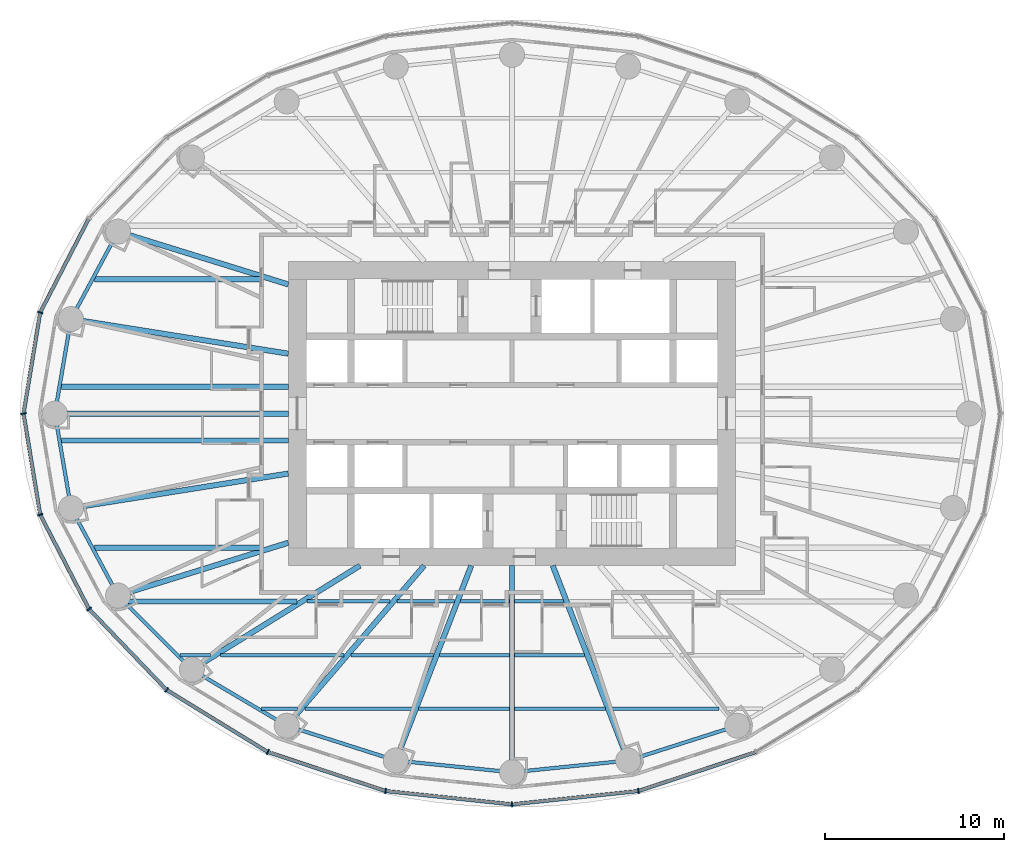
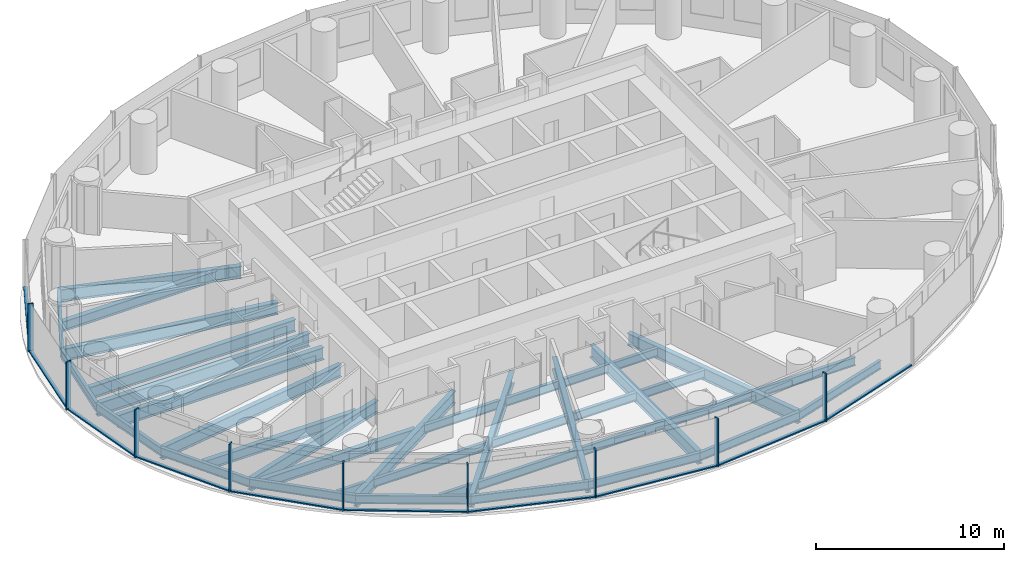
# One storey, part 2 of 14: 39 beams, 19 members, 3 elements without a shape of their own.
"""IFC4 building model written with IfcOpenShell, lengths in metres."""

import ifcopenshell
import ifcopenshell.guid

model = None  # the IFC model being written
_history = None  # IfcOwnerHistory: only IFC2X3 demands one
_inside = {}  # id of a spatial element -> (the spatial element, [elements in it])
_under = {}  # id of a project, library or spatial element -> (it, [spatial elements below it])
_declared = {}  # id of a project -> (the project, [libraries it declares])
_typed = {}  # id of a type object -> (the type object, [elements of that type])
_made_of = {}  # id of a material, layer set ... -> (it, [elements and type objects made of it])


def new_model(schema):
    """Start an empty IFC model of exactly this schema.

    Asked for "IFC4X3", IfcOpenShell would pick the latest addendum, in which some entities
    have other attributes; the version numbers below select the first issue.
    IFC2X3 requires an IfcOwnerHistory on every rooted entity: one is made here for all.
    """
    global model, _history
    if schema == "IFC4X3":
        model = ifcopenshell.file(schema_version=(4, 3, 0, 0))
    else:
        model = ifcopenshell.file(schema=schema)
    _inside.clear()
    _under.clear()
    _declared.clear()
    _typed.clear()
    _made_of.clear()
    _history = None
    if model.schema == "IFC2X3":
        org = make("IfcOrganization", Name="unknown")
        user = make(
            "IfcPersonAndOrganization",
            ThePerson=make("IfcPerson", FamilyName="unknown"),
            TheOrganization=org,
        )
        app = make(
            "IfcApplication",
            ApplicationDeveloper=org,
            Version="unknown",
            ApplicationFullName="unknown",
            ApplicationIdentifier="unknown",
        )
        _history = make(
            "IfcOwnerHistory",
            OwningUser=user,
            OwningApplication=app,
            ChangeAction="ADDED",
            CreationDate=0,
        )
    return model


def make(cls, **values):
    """One entity of the class cls with the attributes given. An attribute that is None is left unset."""
    return model.create_entity(
        cls, **{name: value for name, value in values.items() if value is not None}
    )


def rooted(cls, **values):
    """An entity with a GlobalId (a new one), such as an element, a storey or a relation."""
    return make(cls, GlobalId=ifcopenshell.guid.new(), OwnerHistory=_history, **values)


def si_unit(unit_type, name, prefix=None):
    """IfcSIUnit, for example si_unit("LENGTHUNIT", "METRE", prefix="MILLI")."""
    return make("IfcSIUnit", UnitType=unit_type, Prefix=prefix, Name=name)


def assignment(units):
    """IfcUnitAssignment: the units of a project."""
    return None if units is None else make("IfcUnitAssignment", Units=units)


def point(xyz):
    """IfcCartesianPoint."""
    return None if xyz is None else make("IfcCartesianPoint", Coordinates=xyz)


def direction(xyz):
    """IfcDirection."""
    return None if xyz is None else make("IfcDirection", DirectionRatios=xyz)


def frame(location, z_axis=None, x_axis=None):
    """IfcAxis2Placement3D, a coordinate frame: its origin and axes. An axis left out is left unset."""
    return make(
        "IfcAxis2Placement3D",
        Location=point(location),
        Axis=direction(z_axis),
        RefDirection=direction(x_axis),
    )


def frame_2d(location, x_axis=None):
    """IfcAxis2Placement2D, a coordinate frame in the plane: its origin and x axis."""
    return make(
        "IfcAxis2Placement2D", Location=point(location), RefDirection=direction(x_axis)
    )


def origin():
    """The frame at (0, 0, 0) with its axes left unset."""
    return frame((0.0, 0.0, 0.0))


def origin_2d():
    """The frame at (0, 0) in the plane with its x axis left unset."""
    return frame_2d((0.0, 0.0))


def place(relative_to, where):
    """IfcLocalPlacement: puts the frame where relative to a parent placement (None: the world)."""
    return make(
        "IfcLocalPlacement", PlacementRelTo=relative_to, RelativePlacement=where
    )


def context(
    kind, dimensions, precision=None, world=None, true_north=None, identifier=None
):
    """IfcGeometricRepresentationContext, for example the 3D "Model" context."""
    return make(
        "IfcGeometricRepresentationContext",
        ContextIdentifier=identifier,
        ContextType=kind,
        CoordinateSpaceDimension=dimensions,
        Precision=precision,
        WorldCoordinateSystem=world,
        TrueNorth=true_north,
    )


def subcontext(parent, identifier, kind, view, scale=None):
    """IfcGeometricRepresentationSubContext, for example "Body" below "Model"."""
    return make(
        "IfcGeometricRepresentationSubContext",
        ContextIdentifier=identifier,
        ContextType=kind,
        ParentContext=parent,
        TargetScale=scale,
        TargetView=view,
    )


def project(units=None, contexts=None):
    """IfcProject with its units and contexts."""
    return rooted(
        "IfcProject",
        Name="project",
        RepresentationContexts=contexts,
        UnitsInContext=assignment(units),
    )


def spatial(cls, under=None, at=None, **own):
    """A site, building, storey or space (cls), placed at a placement, below another one or the project."""
    s = rooted(cls, ObjectPlacement=at, **own)
    if under is not None:
        _under.setdefault(under.id(), (under, []))[1].append(s)
    return s


def profile(cls, at=None, kind="AREA", **sizes):
    """A parametric profile (cls). Its sizes go by their IFC names, for example OverallWidth=200.0."""
    return make(cls, ProfileType=kind, Position=at, **sizes)


def rectangle(**sizes):
    """IfcRectangleProfileDef."""
    return profile("IfcRectangleProfileDef", **sizes)


def i_section(**sizes):
    """IfcIShapeProfileDef."""
    return profile("IfcIShapeProfileDef", **sizes)


def extrude(swept, where, along, depth):
    """IfcExtrudedAreaSolid: the profile swept, set in the frame where, extruded along a direction by depth."""
    return make(
        "IfcExtrudedAreaSolid",
        SweptArea=swept,
        Position=where,
        ExtrudedDirection=direction(along),
        Depth=depth,
    )


def shape(context_of_items, identifier, shape_type, items):
    """IfcShapeRepresentation: the items that make up one representation, for example the "Body"."""
    return make(
        "IfcShapeRepresentation",
        ContextOfItems=context_of_items,
        RepresentationIdentifier=identifier,
        RepresentationType=shape_type,
        Items=items,
    )


def material(Name=None, Category=None):
    """IfcMaterial."""
    return make("IfcMaterial", Name=Name, Category=Category)


def material_profile(
    of_material, cross_section, Name=None, Category=None, Priority=None
):
    """IfcMaterialProfile: a cross section and its material."""
    return make(
        "IfcMaterialProfile",
        Name=Name,
        Material=of_material,
        Profile=cross_section,
        Priority=Priority,
        Category=Category,
    )


def profile_set(profiles, Name=None, composite=None):
    """IfcMaterialProfileSet."""
    return make(
        "IfcMaterialProfileSet",
        Name=Name,
        MaterialProfiles=profiles,
        CompositeProfile=composite,
    )


def made_of(thing, what):
    """Note that an element or type object is made of a material, layer set ...; save() writes the relation."""
    if what is not None:
        _made_of.setdefault(what.id(), (what, []))[1].append(thing)
    return thing


def type_object(cls, material=None, **own):
    """A type object (cls), such as IfcWallType, which elements share."""
    return made_of(rooted(cls, **own), material)


def element(
    cls,
    number,
    at=None,
    inside=None,
    cuts=None,
    type_object=None,
    material=None,
    context=None,
    identifier="Body",
    shape_type=None,
    held_by="IfcProductDefinitionShape",
    body=None,
    shapes=None,
    **own,
):
    """One element of the class cls, such as IfcWall. Its Tag is "e" and its number.

    at: its placement. inside: the storey or other place that contains it. cuts: it is an
    opening in that element (IfcRelVoidsElement). A single representation is given by context,
    identifier, shape_type and body (its items); several are given by shapes. held_by: the class
    of the entity that holds the representations. save() writes the other relations.
    """
    e = rooted(cls, Tag="e%d" % number, ObjectPlacement=at, **own)
    if body is not None:
        shapes = [shape(context, identifier, shape_type, body)]
    if shapes is not None:
        e.Representation = make(held_by, Representations=shapes)
    if inside is not None:
        _inside.setdefault(inside.id(), (inside, []))[1].append(e)
    if cuts is not None:
        rooted(
            "IfcRelVoidsElement", RelatingBuildingElement=cuts, RelatedOpeningElement=e
        )
    if type_object is not None:
        _typed.setdefault(type_object.id(), (type_object, []))[1].append(e)
    return made_of(e, material)


def aggregate(whole, parts):
    """IfcRelAggregates: a whole, such as a stair, and the parts it consists of."""
    return rooted("IfcRelAggregates", RelatingObject=whole, RelatedObjects=parts)


def save(model, path):
    """Write the relations noted so far, then the file.

    IfcRelAggregates (storeys below a building ...), IfcRelContainedInSpatialStructure (elements
    in a storey), IfcRelDefinesByType, IfcRelAssociatesMaterial and IfcRelDeclares: one each for
    every whole, place, type object, material and project.
    """
    for whole, parts in _under.values():
        aggregate(whole, parts)
    for where, things in _inside.values():
        rooted(
            "IfcRelContainedInSpatialStructure",
            RelatedElements=things,
            RelatingStructure=where,
        )
    for kind, things in _typed.values():
        rooted("IfcRelDefinesByType", RelatedObjects=things, RelatingType=kind)
    for what, things in _made_of.values():
        rooted("IfcRelAssociatesMaterial", RelatedObjects=things, RelatingMaterial=what)
    for by, libraries in _declared.values():
        rooted("IfcRelDeclares", RelatingContext=by, RelatedDefinitions=libraries)
    model.write(path)


model = new_model("IFC4")

# Units and contexts
model_context = context("Model", 3, precision=1e-05, world=origin(), true_north=direction((0.0, 1.0)))
body_context = subcontext(model_context, "Body", "Model", "MODEL_VIEW")
ifc_project = project(units=[si_unit("LENGTHUNIT", "METRE"), si_unit("AREAUNIT", "SQUARE_METRE"), si_unit("VOLUMEUNIT", "CUBIC_METRE"), si_unit("PLANEANGLEUNIT", "RADIAN"), si_unit("MASSUNIT", "GRAM", prefix="KILO")], contexts=[model_context])

# Site, building, storey
site_placement = place(None, origin())
site = spatial("IfcSite", under=ifc_project, at=site_placement, CompositionType="ELEMENT")
building_placement = place(site_placement, origin())
building = spatial("IfcBuilding", under=site, at=building_placement, Name="Hankou Lantern Tower", CompositionType="ELEMENT")
storey_placement = place(building_placement, frame((0.0, 0.0, 50.699951171875)))
storey = spatial("IfcBuildingStorey", under=building, at=storey_placement, Name="L11", CompositionType="ELEMENT", Elevation=50.699951171875)

# Beams
ifc_material_1 = material(Name="Steel Q355B", Category="steel")
ifc_material_profile_1 = material_profile(ifc_material_1, i_section(OverallWidth=0.199951171875, OverallDepth=0.550048828125, WebThickness=0.010009765625, FlangeThickness=0.01611328125, FilletRadius=0.012939453125, at=origin_2d()), Name="HN550x200x10x16")
ifc_profile_set_1 = profile_set([ifc_material_profile_1], Name="Steel Q355B")
beam_type_1 = type_object("IfcBeamType", Name="EB6 RING BEAM HN550x200x10x16", PredefinedType="SPANDREL", material=ifc_profile_set_1)
beam_1_placement = place(storey_placement, frame((-22.01904296875, 10.170166015625, -0.454833984375), z_axis=(-0.473609096023, -0.880735161194, 0.0), x_axis=(0.880735161194, -0.473609096023, 0.0)))
element("IfcBeam", 1, at=beam_1_placement, inside=storey, type_object=beam_type_1, Name="Ring beam R11-R12 L11", PredefinedType="SPANDREL", context=body_context, shape_type="SweptSolid", body=[
    extrude(i_section(OverallWidth=0.199951171875, OverallDepth=0.550048828125, WebThickness=0.010009765625, FlangeThickness=0.01611328125, FilletRadius=0.012939453125, at=origin_2d()), origin(), (0.0, 0.0, 1.0), 5.548828125),
])
for number, where, z_axis, x_axis, name in (
    (2, (-24.64697265625, 5.283203125, -0.454833984375), (-0.168489691988, -0.985703415685, 0.0), (0.985703415685, -0.168489691988, 0.0), "Ring beam R12-R13 L11"),
    (3, (-25.550048828125, 0.0, -0.454833984375), (0.168489691988, -0.985703415685, 0.0), (0.985703415685, 0.168489691988, 0.0), "Ring beam R13-R14 L11"),
):
    element("IfcBeam", number, at=place(storey_placement, frame(where, z_axis=z_axis, x_axis=x_axis)), inside=storey, type_object=beam_type_1, Name=name, PredefinedType="SPANDREL", context=body_context, shape_type="SweptSolid", body=[
        extrude(i_section(OverallWidth=0.199951171875, OverallDepth=0.550048828125, WebThickness=0.010009765625, FlangeThickness=0.01611328125, FilletRadius=0.012939453125, at=origin_2d()), origin(), (0.0, 0.0, 1.0), 5.35986328125),
    ])
beam_2_placement = place(storey_placement, frame((-24.64697265625, -5.283203125, -0.454833984375), z_axis=(0.473609096023, -0.880735161194, 0.0), x_axis=(0.880735161194, 0.473609096023, 0.0)))
element("IfcBeam", 4, at=beam_2_placement, inside=storey, type_object=beam_type_1, Name="Ring beam R14-R15 L11", PredefinedType="SPANDREL", context=body_context, shape_type="SweptSolid", body=[
    extrude(i_section(OverallWidth=0.199951171875, OverallDepth=0.550048828125, WebThickness=0.010009765625, FlangeThickness=0.01611328125, FilletRadius=0.012939453125, at=origin_2d()), origin(), (0.0, 0.0, 1.0), 5.548828125),
])
beam_3_placement = place(storey_placement, frame((-22.01904296875, -10.170166015625, -0.454833984375), z_axis=(0.705727798394, -0.708483079949, 0.0), x_axis=(0.708483079949, 0.705727798394, 0.0)))
element("IfcBeam", 5, at=beam_3_placement, inside=storey, type_object=beam_type_1, Name="Ring beam R15-R16 L11", PredefinedType="SPANDREL", context=body_context, shape_type="SweptSolid", body=[
    extrude(i_section(OverallWidth=0.199951171875, OverallDepth=0.550048828125, WebThickness=0.010009765625, FlangeThickness=0.01611328125, FilletRadius=0.012939453125, at=origin_2d()), origin(), (0.0, 0.0, 1.0), 5.84814453125),
])
beam_4_placement = place(storey_placement, frame((-17.891845703125, -14.3134765625, -0.454833984375), z_axis=(0.860881533543, -0.508805449268, 0.0), x_axis=(0.508805449268, 0.860881533543, 0.0)))
element("IfcBeam", 6, at=beam_4_placement, inside=storey, type_object=beam_type_1, Name="Ring beam R16-R17 L11", PredefinedType="SPANDREL", context=body_context, shape_type="SweptSolid", body=[
    extrude(i_section(OverallWidth=0.199951171875, OverallDepth=0.550048828125, WebThickness=0.010009765625, FlangeThickness=0.01611328125, FilletRadius=0.012939453125, at=origin_2d()), origin(), (0.0, 0.0, 1.0), 6.15771484375),
])
beam_5_placement = place(storey_placement, frame((-12.5908203125, -17.446533203125, -0.454833984375), z_axis=(0.952690479428, -0.303942182671, 0.0), x_axis=(0.303942182671, 0.952690479428, 0.0)))
element("IfcBeam", 7, at=beam_5_placement, inside=storey, type_object=beam_type_1, Name="Ring beam R17-R18 L11", PredefinedType="SPANDREL", context=body_context, shape_type="SweptSolid", body=[
    extrude(i_section(OverallWidth=0.199951171875, OverallDepth=0.550048828125, WebThickness=0.010009765625, FlangeThickness=0.01611328125, FilletRadius=0.012939453125, at=origin_2d()), origin(), (0.0, 0.0, 1.0), 6.398681640625),
])
for number, where, z_axis, x_axis, name in (
    (8, (-6.494873046875, -19.391357421875, -0.454833984375), (0.994896616842, -0.100899562915, 0.0), (0.100899562915, 0.994896616842, 0.0), "Ring beam R18-R19 L11"),
    (9, (0.0, -20.050048828125, -0.454833984375), (0.994896616842, 0.100899562915, 0.0), (-0.100899562915, 0.994896616842, 0.0), "Ring beam R19-R20 L11"),
):
    element("IfcBeam", number, at=place(storey_placement, frame(where, z_axis=z_axis, x_axis=x_axis)), inside=storey, type_object=beam_type_1, Name=name, PredefinedType="SPANDREL", context=body_context, shape_type="SweptSolid", body=[
        extrude(i_section(OverallWidth=0.199951171875, OverallDepth=0.550048828125, WebThickness=0.010009765625, FlangeThickness=0.01611328125, FilletRadius=0.012939453125, at=origin_2d()), origin(), (0.0, 0.0, 1.0), 6.528076171875),
    ])
beam_6_placement = place(storey_placement, frame((6.494873046875, -19.391357421875, -0.454833984375), z_axis=(0.952690479428, 0.303942182671, 0.0), x_axis=(-0.303942182671, 0.952690479428, 0.0)))
element("IfcBeam", 10, at=beam_6_placement, inside=storey, type_object=beam_type_1, Name="Ring beam R20-R21 L11", PredefinedType="SPANDREL", context=body_context, shape_type="SweptSolid", body=[
    extrude(i_section(OverallWidth=0.199951171875, OverallDepth=0.550048828125, WebThickness=0.010009765625, FlangeThickness=0.01611328125, FilletRadius=0.012939453125, at=origin_2d()), origin(), (0.0, 0.0, 1.0), 6.398681640625),
])

# Curtain wall, member
ifc_material_2 = material(Name="Glass, dark grey tinted laminated", Category="glass")
curtain_wall_type = type_object("IfcCurtainWallType", Name="CWA OUTER SKIN LOW-RISE", PredefinedType="USERDEFINED", material=ifc_material_2)
curtain_wall_1_placement = place(storey_placement, origin())
curtain_wall_1 = element("IfcCurtainWall", 11, at=curtain_wall_1_placement, inside=storey, type_object=curtain_wall_type, Name="CWA L11 OS2", ObjectType="OUTER SKIN LOW-RISE", PredefinedType="USERDEFINED")
ifc_material_3 = material(Name="Aluminium, black anodised", Category="aluminium")
ifc_material_profile_2 = material_profile(ifc_material_3, rectangle(XDim=0.080078125, YDim=0.300048828125, at=origin_2d()), Name="MU1 80X300")
ifc_profile_set_2 = profile_set([ifc_material_profile_2], Name="Aluminium, black anodised")
member_type_1 = type_object("IfcMemberType", Name="MU1 OUTER SKIN MULLION 80X300", PredefinedType="MULLION", material=ifc_profile_set_2)
member_1_placement = place(storey_placement, frame((-26.369873046875, 5.652587890625, 0.0), z_axis=(0.0, 0.0, 1.0), x_axis=(-0.317595577365, -0.94822626479, 0.0)))
member_1 = element("IfcMember", 12, at=member_1_placement, type_object=member_type_1, Name="CWA mullion 6", PredefinedType="MULLION", context=body_context, shape_type="SweptSolid", body=[
    extrude(rectangle(XDim=0.080078125, YDim=0.300048828125, at=origin_2d()), origin(), (0.0, 0.0, 1.0), 3.1201171875),
])

# Curtain wall, members
curtain_wall_2_placement = place(storey_placement, origin())
curtain_wall_2 = element("IfcCurtainWall", 13, at=curtain_wall_2_placement, inside=storey, type_object=curtain_wall_type, Name="CWA L11 OS3", ObjectType="OUTER SKIN LOW-RISE", PredefinedType="USERDEFINED")
member_2_placement = place(storey_placement, frame((-27.300048828125, 0.0, 0.0), z_axis=(0.0, 0.0, 1.0), x_axis=(0.162381515188, -0.986728049427, 0.0)))
member_2 = element("IfcMember", 14, at=member_2_placement, type_object=member_type_1, Name="CWA mullion 1", PredefinedType="MULLION", context=body_context, shape_type="SweptSolid", body=[
    extrude(rectangle(XDim=0.080078125, YDim=0.300048828125, at=origin_2d()), origin(), (0.0, 0.0, 1.0), 3.1201171875),
])
member_3_placement = place(storey_placement, frame((-26.369873046875, -5.652587890625, 0.0), z_axis=(0.0, 0.0, 1.0), x_axis=(0.317595577365, -0.94822626479, 0.0)))
member_3 = element("IfcMember", 15, at=member_3_placement, type_object=member_type_1, Name="CWA mullion 2", PredefinedType="MULLION", context=body_context, shape_type="SweptSolid", body=[
    extrude(rectangle(XDim=0.080078125, YDim=0.300048828125, at=origin_2d()), origin(), (0.0, 0.0, 1.0), 3.1201171875),
])
member_4_placement = place(storey_placement, frame((-23.642578125, -10.919921875, 0.0), z_axis=(0.0, 0.0, 1.0), x_axis=(0.585205735974, -0.810884854084, 0.0)))
member_4 = element("IfcMember", 16, at=member_4_placement, type_object=member_type_1, Name="CWA mullion 3", PredefinedType="MULLION", context=body_context, shape_type="SweptSolid", body=[
    extrude(rectangle(XDim=0.080078125, YDim=0.300048828125, at=origin_2d()), origin(), (0.0, 0.0, 1.0), 3.1201171875),
])
member_5_placement = place(storey_placement, frame((-19.303955078125, -15.443115234375, 0.0), z_axis=(0.0, 0.0, 1.0), x_axis=(0.780868809444, -0.624695047553, 0.0)))
member_5 = element("IfcMember", 17, at=member_5_placement, type_object=member_type_1, Name="CWA mullion 4", PredefinedType="MULLION", context=body_context, shape_type="SweptSolid", body=[
    extrude(rectangle(XDim=0.080078125, YDim=0.300048828125, at=origin_2d()), origin(), (0.0, 0.0, 1.0), 3.1201171875),
])
member_6_placement = place(storey_placement, frame((-13.64990234375, -18.9140625, 0.0), z_axis=(0.0, 0.0, 1.0), x_axis=(0.907841299004, -0.419313934686, 0.0)))
member_6 = element("IfcMember", 18, at=member_6_placement, type_object=member_type_1, Name="CWA mullion 5", PredefinedType="MULLION", context=body_context, shape_type="SweptSolid", body=[
    extrude(rectangle(XDim=0.080078125, YDim=0.300048828125, at=origin_2d()), origin(), (0.0, 0.0, 1.0), 3.1201171875),
])
member_7_placement = place(storey_placement, frame((-7.065673828125, -21.095703125, 0.0), z_axis=(0.0, 0.0, 1.0), x_axis=(0.977787659625, -0.209597931016, 0.0)))
member_7 = element("IfcMember", 19, at=member_7_placement, type_object=member_type_1, Name="CWA mullion 6", PredefinedType="MULLION", context=body_context, shape_type="SweptSolid", body=[
    extrude(rectangle(XDim=0.080078125, YDim=0.300048828125, at=origin_2d()), origin(), (0.0, 0.0, 1.0), 3.1201171875),
])

curtain_wall_3_placement = place(storey_placement, origin())
curtain_wall_3 = element("IfcCurtainWall", 20, at=curtain_wall_3_placement, inside=storey, type_object=curtain_wall_type, Name="CWA L11 OS4", ObjectType="OUTER SKIN LOW-RISE", PredefinedType="USERDEFINED")
member_8_placement = place(storey_placement, frame((0.0, -21.840087890625, 0.0), z_axis=(0.0, 0.0, 1.0), x_axis=(0.994499359107, 0.104742659579, 0.0)))
member_8 = element("IfcMember", 21, at=member_8_placement, type_object=member_type_1, Name="CWA mullion 1", PredefinedType="MULLION", context=body_context, shape_type="SweptSolid", body=[
    extrude(rectangle(XDim=0.080078125, YDim=0.300048828125, at=origin_2d()), origin(), (0.0, 0.0, 1.0), 3.1201171875),
])
member_9_placement = place(storey_placement, frame((7.065673828125, -21.095703125, 0.0), z_axis=(0.0, 0.0, 1.0), x_axis=(0.977787659625, 0.209597931016, 0.0)))
member_9 = element("IfcMember", 22, at=member_9_placement, type_object=member_type_1, Name="CWA mullion 2", PredefinedType="MULLION", context=body_context, shape_type="SweptSolid", body=[
    extrude(rectangle(XDim=0.080078125, YDim=0.300048828125, at=origin_2d()), origin(), (0.0, 0.0, 1.0), 3.1201171875),
])

# Beams
ifc_material_4 = material(Name="Steel Q355B", Category="steel")
ifc_material_profile_3 = material_profile(ifc_material_4, i_section(OverallWidth=0.300048828125, OverallDepth=0.800048828125, WebThickness=0.013916015625, FlangeThickness=0.02587890625, FilletRadius=0.01806640625, at=origin_2d()), Name="HN800x300x14x26")
ifc_profile_set_3 = profile_set([ifc_material_profile_3], Name="Steel Q355B")
beam_type_2 = type_object("IfcBeamType", Name="RB11 RADIAL BEAM HN800x300x14x26", PredefinedType="BEAM", material=ifc_profile_set_3)
beam_7_placement = place(storey_placement, frame((-12.5, 7.216796875, -0.579833984375), z_axis=(-0.955087327755, 0.29632447817, 0.0), x_axis=(-0.29632447817, -0.955087327755, 0.0)))
element("IfcBeam", 23, at=beam_7_placement, inside=storey, type_object=beam_type_2, Name="Radial beam R11 L11", PredefinedType="BEAM", context=body_context, shape_type="SweptSolid", body=[
    extrude(i_section(OverallWidth=0.300048828125, OverallDepth=0.800048828125, WebThickness=0.013916015625, FlangeThickness=0.02587890625, FilletRadius=0.01806640625, at=origin_2d()), origin(), (0.0, 0.0, 1.0), 9.966552734375),
])
for number, where, z_axis, x_axis, name in (
    (24, (-12.5, 3.349365234375, -0.579833984375), (-0.987563081343, 0.157223281893, 0.0), (-0.157223281893, -0.987563081343, 0.0), "Radial beam R12 L11"),
    (25, (-12.5, -3.349365234375, -0.579833984375), (-0.987563081343, -0.157223281893, 0.0), (0.157223281893, -0.987563081343, 0.0), "Radial beam R14 L11"),
):
    element("IfcBeam", number, at=place(storey_placement, frame(where, z_axis=z_axis, x_axis=x_axis)), inside=storey, type_object=beam_type_2, Name=name, PredefinedType="BEAM", context=body_context, shape_type="SweptSolid", body=[
        extrude(i_section(OverallWidth=0.300048828125, OverallDepth=0.800048828125, WebThickness=0.013916015625, FlangeThickness=0.02587890625, FilletRadius=0.01806640625, at=origin_2d()), origin(), (0.0, 0.0, 1.0), 12.300048828125),
    ])
beam_8_placement = place(storey_placement, frame((-12.5, -7.216796875, -0.579833984375), z_axis=(-0.955087327755, -0.29632447817, 0.0), x_axis=(0.29632447817, -0.955087327755, 0.0)))
element("IfcBeam", 26, at=beam_8_placement, inside=storey, type_object=beam_type_2, Name="Radial beam R15 L11", PredefinedType="BEAM", context=body_context, shape_type="SweptSolid", body=[
    extrude(i_section(OverallWidth=0.300048828125, OverallDepth=0.800048828125, WebThickness=0.013916015625, FlangeThickness=0.02587890625, FilletRadius=0.01806640625, at=origin_2d()), origin(), (0.0, 0.0, 1.0), 9.966552734375),
])
beam_9_placement = place(storey_placement, frame((-8.5, -8.5, -0.579833984375), z_axis=(-0.850286343288, -0.526320372414, 0.0), x_axis=(0.526320372414, -0.850286343288, 0.0)))
element("IfcBeam", 27, at=beam_9_placement, inside=storey, type_object=beam_type_2, Name="Radial beam R16 L11", PredefinedType="BEAM", context=body_context, shape_type="SweptSolid", body=[
    extrude(i_section(OverallWidth=0.300048828125, OverallDepth=0.800048828125, WebThickness=0.013916015625, FlangeThickness=0.02587890625, FilletRadius=0.01806640625, at=origin_2d()), origin(), (0.0, 0.0, 1.0), 11.04541015625),
])
beam_10_placement = place(storey_placement, frame((-4.907470703125, -8.5, -0.579833984375), z_axis=(-0.651519061225, -0.758632264579, 0.0), x_axis=(0.758632264579, -0.651519061225, 0.0)))
element("IfcBeam", 28, at=beam_10_placement, inside=storey, type_object=beam_type_2, Name="Radial beam R17 L11", PredefinedType="BEAM", context=body_context, shape_type="SweptSolid", body=[
    extrude(i_section(OverallWidth=0.300048828125, OverallDepth=0.800048828125, WebThickness=0.013916015625, FlangeThickness=0.02587890625, FilletRadius=0.01806640625, at=origin_2d()), origin(), (0.0, 0.0, 1.0), 11.79296875),
])
beam_11_placement = place(storey_placement, frame((-2.277587890625, -8.5, -0.579833984375), z_axis=(-0.361089103374, -0.932531318201, 0.0), x_axis=(0.932531318201, -0.361089103374, 0.0)))
element("IfcBeam", 29, at=beam_11_placement, inside=storey, type_object=beam_type_2, Name="Radial beam R18 L11", PredefinedType="BEAM", context=body_context, shape_type="SweptSolid", body=[
    extrude(i_section(OverallWidth=0.300048828125, OverallDepth=0.800048828125, WebThickness=0.013916015625, FlangeThickness=0.02587890625, FilletRadius=0.01806640625, at=origin_2d()), origin(), (0.0, 0.0, 1.0), 11.679443359375),
])
beam_12_placement = place(storey_placement, frame((0.0, -8.5, -0.579833984375), z_axis=(0.0, -1.0, 0.0), x_axis=(1.0, 0.0, 0.0)))
element("IfcBeam", 30, at=beam_12_placement, inside=storey, type_object=beam_type_2, Name="Radial beam R19 L11", PredefinedType="BEAM", context=body_context, shape_type="SweptSolid", body=[
    extrude(i_section(OverallWidth=0.300048828125, OverallDepth=0.800048828125, WebThickness=0.013916015625, FlangeThickness=0.02587890625, FilletRadius=0.01806640625, at=origin_2d()), origin(), (0.0, 0.0, 1.0), 11.550048828125),
])
beam_13_placement = place(storey_placement, frame((2.277587890625, -8.5, -0.579833984375), z_axis=(0.361089103374, -0.932531318201, 0.0), x_axis=(0.932531318201, 0.361089103374, 0.0)))
element("IfcBeam", 31, at=beam_13_placement, inside=storey, type_object=beam_type_2, Name="Radial beam R20 L11", PredefinedType="BEAM", context=body_context, shape_type="SweptSolid", body=[
    extrude(i_section(OverallWidth=0.300048828125, OverallDepth=0.800048828125, WebThickness=0.013916015625, FlangeThickness=0.02587890625, FilletRadius=0.01806640625, at=origin_2d()), origin(), (0.0, 0.0, 1.0), 11.679443359375),
])
ifc_material_5 = material(Name="Steel Q355B", Category="steel")
ifc_material_profile_4 = material_profile(ifc_material_5, i_section(OverallWidth=0.300048828125, OverallDepth=0.85009765625, WebThickness=0.01611328125, FlangeThickness=0.027099609375, FilletRadius=0.01806640625, at=origin_2d()), Name="HN850x300x16x27")
ifc_profile_set_4 = profile_set([ifc_material_profile_4], Name="Steel Q355B")
beam_type_3 = type_object("IfcBeamType", Name="RB12 RADIAL BEAM HN850x300x16x27", PredefinedType="BEAM", material=ifc_profile_set_4)
beam_14_placement = place(storey_placement, frame((-12.5, 0.0, -0.60498046875), z_axis=(-1.0, 0.0, 0.0), x_axis=(0.0, -1.0, 0.0)))
element("IfcBeam", 32, at=beam_14_placement, inside=storey, type_object=beam_type_3, Name="Radial beam R13 L11", PredefinedType="BEAM", context=body_context, shape_type="SweptSolid", body=[
    extrude(i_section(OverallWidth=0.300048828125, OverallDepth=0.85009765625, WebThickness=0.01611328125, FlangeThickness=0.027099609375, FilletRadius=0.01806640625, at=origin_2d()), origin(), (0.0, 0.0, 1.0), 13.050048828125),
])
ifc_material_6 = material(Name="Steel Q355B", Category="steel")
ifc_material_profile_5 = material_profile(ifc_material_6, i_section(OverallWidth=0.300048828125, OverallDepth=0.800048828125, WebThickness=0.013916015625, FlangeThickness=0.02587890625, FilletRadius=0.01806640625, at=origin_2d()), Name="HN800x300x14x26")
ifc_profile_set_5 = profile_set([ifc_material_profile_5], Name="Steel Q355B")
beam_type_4 = type_object("IfcBeamType", Name="SB11 SECONDARY BEAM HN800x300x14x26", PredefinedType="JOIST", material=ifc_profile_set_5)
for number, where, z_axis, x_axis, name in (
    (33, (-25.192138671875, -1.5, -0.579833984375), (1.0, 0.0, 0.0), (0.0, 1.0, 0.0), "Floor joist J029 L11"),
    (34, (-25.192138671875, 1.5, -0.579833984375), (1.0, 0.0, 0.0), (0.0, 1.0, 0.0), "Floor joist J031 L11"),
):
    element("IfcBeam", number, at=place(storey_placement, frame(where, z_axis=z_axis, x_axis=x_axis)), inside=storey, type_object=beam_type_4, Name=name, PredefinedType="JOIST", context=body_context, shape_type="SweptSolid", body=[
        extrude(i_section(OverallWidth=0.300048828125, OverallDepth=0.800048828125, WebThickness=0.013916015625, FlangeThickness=0.02587890625, FilletRadius=0.01806640625, at=origin_2d()), origin(), (0.0, 0.0, 1.0), 12.692138671875),
    ])
ifc_material_7 = material(Name="Steel Q355B", Category="steel")
ifc_material_profile_6 = material_profile(ifc_material_7, i_section(OverallWidth=0.199951171875, OverallDepth=0.550048828125, WebThickness=0.010009765625, FlangeThickness=0.01611328125, FilletRadius=0.012939453125, at=origin_2d()), Name="HN550x200x10x16")
ifc_profile_set_6 = profile_set([ifc_material_profile_6], Name="Steel Q355B")
beam_type_5 = type_object("IfcBeamType", Name="SB6 SECONDARY BEAM HN550x200x10x16", PredefinedType="JOIST", material=ifc_profile_set_6)
beam_15_placement = place(storey_placement, frame((-13.99560546875, -16.5, -0.454833984375), z_axis=(1.0, 0.0, 0.0), x_axis=(0.0, 1.0, 0.0)))
element("IfcBeam", 35, at=beam_15_placement, inside=storey, type_object=beam_type_5, Name="Floor joist J001 L11", PredefinedType="JOIST", context=body_context, shape_type="SweptSolid", body=[
    extrude(i_section(OverallWidth=0.199951171875, OverallDepth=0.550048828125, WebThickness=0.010009765625, FlangeThickness=0.01611328125, FilletRadius=0.012939453125, at=origin_2d()), origin(), (0.0, 0.0, 1.0), 2.019775390625),
])
beam_16_placement = place(storey_placement, frame((-11.580322265625, -16.5, -0.454833984375), z_axis=(1.0, 0.0, 0.0), x_axis=(0.0, 1.0, 0.0)))
element("IfcBeam", 36, at=beam_16_placement, inside=storey, type_object=beam_type_5, Name="Floor joist J002 L11", PredefinedType="JOIST", context=body_context, shape_type="SweptSolid", body=[
    extrude(i_section(OverallWidth=0.199951171875, OverallDepth=0.550048828125, WebThickness=0.010009765625, FlangeThickness=0.01611328125, FilletRadius=0.012939453125, at=origin_2d()), origin(), (0.0, 0.0, 1.0), 6.044189453125),
])
for number, where, z_axis, x_axis, name in (
    (37, (-5.21435546875, -16.5, -0.454833984375), (1.0, 0.0, 0.0), (0.0, 1.0, 0.0), "Floor joist J003 L11"),
    (38, (0.14990234375, -16.5, -0.454833984375), (1.0, 0.0, 0.0), (0.0, 1.0, 0.0), "Floor joist J004 L11"),
):
    element("IfcBeam", number, at=place(storey_placement, frame(where, z_axis=z_axis, x_axis=x_axis)), inside=storey, type_object=beam_type_5, Name=name, PredefinedType="JOIST", context=body_context, shape_type="SweptSolid", body=[
        extrude(i_section(OverallWidth=0.199951171875, OverallDepth=0.550048828125, WebThickness=0.010009765625, FlangeThickness=0.01611328125, FilletRadius=0.012939453125, at=origin_2d()), origin(), (0.0, 0.0, 1.0), 5.064453125),
    ])
beam_17_placement = place(storey_placement, frame((5.5361328125, -16.5, -0.454833984375), z_axis=(1.0, 0.0, 0.0), x_axis=(0.0, 1.0, 0.0)))
element("IfcBeam", 39, at=beam_17_placement, inside=storey, type_object=beam_type_5, Name="Floor joist J005 L11", PredefinedType="JOIST", context=body_context, shape_type="SweptSolid", body=[
    extrude(i_section(OverallWidth=0.199951171875, OverallDepth=0.550048828125, WebThickness=0.010009765625, FlangeThickness=0.01611328125, FilletRadius=0.012939453125, at=origin_2d()), origin(), (0.0, 0.0, 1.0), 6.044189453125),
])
beam_18_placement = place(storey_placement, frame((-18.560791015625, -13.5, -0.454833984375), z_axis=(1.0, 0.0, 0.0), x_axis=(0.0, 1.0, 0.0)))
element("IfcBeam", 40, at=beam_18_placement, inside=storey, type_object=beam_type_5, Name="Floor joist J007 L11", PredefinedType="JOIST", context=body_context, shape_type="SweptSolid", body=[
    extrude(i_section(OverallWidth=0.199951171875, OverallDepth=0.550048828125, WebThickness=0.010009765625, FlangeThickness=0.01611328125, FilletRadius=0.012939453125, at=origin_2d()), origin(), (0.0, 0.0, 1.0), 1.697998046875),
])
beam_19_placement = place(storey_placement, frame((-16.292724609375, -13.5, -0.454833984375), z_axis=(1.0, 0.0, 0.0), x_axis=(0.0, 1.0, 0.0)))
element("IfcBeam", 41, at=beam_19_placement, inside=storey, type_object=beam_type_5, Name="Floor joist J008 L11", PredefinedType="JOIST", context=body_context, shape_type="SweptSolid", body=[
    extrude(i_section(OverallWidth=0.199951171875, OverallDepth=0.550048828125, WebThickness=0.010009765625, FlangeThickness=0.01611328125, FilletRadius=0.012939453125, at=origin_2d()), origin(), (0.0, 0.0, 1.0), 6.893310546875),
])
beam_20_placement = place(storey_placement, frame((-9.00390625, -13.5, -0.454833984375), z_axis=(1.0, 0.0, 0.0), x_axis=(0.0, 1.0, 0.0)))
element("IfcBeam", 42, at=beam_20_placement, inside=storey, type_object=beam_type_5, Name="Floor joist J009 L11", PredefinedType="JOIST", context=body_context, shape_type="SweptSolid", body=[
    extrude(i_section(OverallWidth=0.199951171875, OverallDepth=0.550048828125, WebThickness=0.010009765625, FlangeThickness=0.01611328125, FilletRadius=0.012939453125, at=origin_2d()), origin(), (0.0, 0.0, 1.0), 4.62939453125),
])
for number, where, z_axis, x_axis, name in (
    (43, (-4.052734375, -13.5, -0.454833984375), (1.0, 0.0, 0.0), (0.0, 1.0, 0.0), "Floor joist J010 L11"),
    (44, (0.14990234375, -13.5, -0.454833984375), (1.0, 0.0, 0.0), (0.0, 1.0, 0.0), "Floor joist J011 L11"),
):
    element("IfcBeam", number, at=place(storey_placement, frame(where, z_axis=z_axis, x_axis=x_axis)), inside=storey, type_object=beam_type_5, Name=name, PredefinedType="JOIST", context=body_context, shape_type="SweptSolid", body=[
        extrude(i_section(OverallWidth=0.199951171875, OverallDepth=0.550048828125, WebThickness=0.010009765625, FlangeThickness=0.01611328125, FilletRadius=0.012939453125, at=origin_2d()), origin(), (0.0, 0.0, 1.0), 3.90283203125),
    ])
beam_21_placement = place(storey_placement, frame((-11.446044921875, -10.5, -0.454833984375), z_axis=(1.0, 0.0, 0.0), x_axis=(0.0, 1.0, 0.0)))
element("IfcBeam", 45, at=beam_21_placement, inside=storey, type_object=beam_type_5, Name="Floor joist J016 L11", PredefinedType="JOIST", context=body_context, shape_type="SweptSolid", body=[
    extrude(i_section(OverallWidth=0.199951171875, OverallDepth=0.550048828125, WebThickness=0.010009765625, FlangeThickness=0.01611328125, FilletRadius=0.012939453125, at=origin_2d()), origin(), (0.0, 0.0, 1.0), 4.623291015625),
])
beam_22_placement = place(storey_placement, frame((-6.427490234375, -10.5, -0.454833984375), z_axis=(1.0, 0.0, 0.0), x_axis=(0.0, 1.0, 0.0)))
element("IfcBeam", 46, at=beam_22_placement, inside=storey, type_object=beam_type_5, Name="Floor joist J017 L11", PredefinedType="JOIST", context=body_context, shape_type="SweptSolid", body=[
    extrude(i_section(OverallWidth=0.199951171875, OverallDepth=0.550048828125, WebThickness=0.010009765625, FlangeThickness=0.01611328125, FilletRadius=0.012939453125, at=origin_2d()), origin(), (0.0, 0.0, 1.0), 3.214599609375),
])
for number, where, z_axis, x_axis, name in (
    (47, (-2.89111328125, -10.5, -0.454833984375), (1.0, 0.0, 0.0), (0.0, 1.0, 0.0), "Floor joist J018 L11"),
    (48, (0.14990234375, -10.5, -0.454833984375), (1.0, 0.0, 0.0), (0.0, 1.0, 0.0), "Floor joist J019 L11"),
):
    element("IfcBeam", number, at=place(storey_placement, frame(where, z_axis=z_axis, x_axis=x_axis)), inside=storey, type_object=beam_type_5, Name=name, PredefinedType="JOIST", context=body_context, shape_type="SweptSolid", body=[
        extrude(i_section(OverallWidth=0.199951171875, OverallDepth=0.550048828125, WebThickness=0.010009765625, FlangeThickness=0.01611328125, FilletRadius=0.012939453125, at=origin_2d()), origin(), (0.0, 0.0, 1.0), 2.7412109375),
    ])
ifc_material_8 = material(Name="Steel Q355B", Category="steel")
ifc_material_profile_7 = material_profile(ifc_material_8, i_section(OverallWidth=0.300048828125, OverallDepth=0.64990234375, WebThickness=0.010986328125, FlangeThickness=0.01708984375, FilletRadius=0.01806640625, at=origin_2d()), Name="HN650x300x11x17")
ifc_profile_set_7 = profile_set([ifc_material_profile_7], Name="Steel Q355B")
beam_type_6 = type_object("IfcBeamType", Name="SB8 SECONDARY BEAM HN650x300x11x17", PredefinedType="JOIST", material=ifc_profile_set_7)
beam_23_placement = place(storey_placement, frame((-21.54931640625, -10.5, -0.5048828125), z_axis=(1.0, 0.0, 0.0), x_axis=(0.0, 1.0, 0.0)))
element("IfcBeam", 49, at=beam_23_placement, inside=storey, type_object=beam_type_6, Name="Floor joist J015 L11", PredefinedType="JOIST", context=body_context, shape_type="SweptSolid", body=[
    extrude(i_section(OverallWidth=0.300048828125, OverallDepth=0.64990234375, WebThickness=0.010986328125, FlangeThickness=0.01708984375, FilletRadius=0.01806640625, at=origin_2d()), origin(), (0.0, 0.0, 1.0), 9.533203125),
])
for number, where, z_axis, x_axis, name in (
    (50, (-23.341552734375, -7.5, -0.5048828125), (1.0, 0.0, 0.0), (0.0, 1.0, 0.0), "Floor joist J023 L11"),
    (51, (-23.341552734375, 7.5, -0.5048828125), (1.0, 0.0, 0.0), (0.0, 1.0, 0.0), "Floor joist J037 L11"),
):
    element("IfcBeam", number, at=place(storey_placement, frame(where, z_axis=z_axis, x_axis=x_axis)), inside=storey, type_object=beam_type_6, Name=name, PredefinedType="JOIST", context=body_context, shape_type="SweptSolid", body=[
        extrude(i_section(OverallWidth=0.300048828125, OverallDepth=0.64990234375, WebThickness=0.010986328125, FlangeThickness=0.01708984375, FilletRadius=0.01806640625, at=origin_2d()), origin(), (0.0, 0.0, 1.0), 9.4228515625),
    ])

# Member
ifc_material_9 = material(Name="Aluminium, black anodised", Category="aluminium")
ifc_material_profile_8 = material_profile(ifc_material_9, rectangle(XDim=0.199951171875, YDim=0.080078125, at=origin_2d()), Name="TR1 200X80")
ifc_profile_set_8 = profile_set([ifc_material_profile_8], Name="Aluminium, black anodised")
member_type_2 = type_object("IfcMemberType", Name="TR1 OUTER SKIN TRANSOM 200X80", PredefinedType="USERDEFINED", material=ifc_profile_set_8)
member_10_placement = place(storey_placement, frame((-23.660888671875, 10.884521484375, 0.0400390625), z_axis=(-0.459786096495, -0.888029698529, 0.0), x_axis=(0.888029698529, -0.459786096495, 0.0)))
member_10 = element("IfcMember", 52, at=member_10_placement, type_object=member_type_2, Name="CWA transom 5", ObjectType="TRANSOM", PredefinedType="USERDEFINED", context=body_context, shape_type="SweptSolid", body=[
    extrude(rectangle(XDim=0.199951171875, YDim=0.080078125, at=origin_2d()), origin(), (0.0, 0.0, 1.0), 5.8515625),
])

member_11_placement = place(storey_placement, frame((-26.376220703125, 5.613037109375, 0.0400390625), z_axis=(-0.162387045529, -0.986727139307, 0.0), x_axis=(0.986727139307, -0.162387045529, 0.0)))
member_11 = element("IfcMember", 53, at=member_11_placement, type_object=member_type_2, Name="CWA transom 6", ObjectType="TRANSOM", PredefinedType="USERDEFINED", context=body_context, shape_type="SweptSolid", body=[
    extrude(rectangle(XDim=0.199951171875, YDim=0.080078125, at=origin_2d()), origin(), (0.0, 0.0, 1.0), 5.6484375),
])

aggregate(curtain_wall_1, [member_1, member_10, member_11])

member_12_placement = place(storey_placement, frame((-27.29345703125, -0.03955078125, 0.0400390625), z_axis=(0.162387045529, -0.986727139307, 0.0), x_axis=(0.986727139307, 0.162387045529, 0.0)))
member_12 = element("IfcMember", 54, at=member_12_placement, type_object=member_type_2, Name="CWA transom 1", ObjectType="TRANSOM", PredefinedType="USERDEFINED", context=body_context, shape_type="SweptSolid", body=[
    extrude(rectangle(XDim=0.199951171875, YDim=0.080078125, at=origin_2d()), origin(), (0.0, 0.0, 1.0), 5.6484375),
])

member_13_placement = place(storey_placement, frame((-26.351318359375, -5.688232421875, 0.0400390625), z_axis=(0.459786096495, -0.888029698529, 0.0), x_axis=(0.888029698529, 0.459786096495, 0.0)))
member_13 = element("IfcMember", 55, at=member_13_placement, type_object=member_type_2, Name="CWA transom 2", ObjectType="TRANSOM", PredefinedType="USERDEFINED", context=body_context, shape_type="SweptSolid", body=[
    extrude(rectangle(XDim=0.199951171875, YDim=0.080078125, at=origin_2d()), origin(), (0.0, 0.0, 1.0), 5.8515625),
])

member_14_placement = place(storey_placement, frame((-23.61474609375, -10.948974609375, 0.0400390625), z_axis=(0.692215537374, -0.721690827029, 0.0), x_axis=(0.721690827029, 0.692215537374, 0.0)))
member_14 = element("IfcMember", 56, at=member_14_placement, type_object=member_type_2, Name="CWA transom 3", ObjectType="TRANSOM", PredefinedType="USERDEFINED", context=body_context, shape_type="SweptSolid", body=[
    extrude(rectangle(XDim=0.199951171875, YDim=0.080078125, at=origin_2d()), origin(), (0.0, 0.0, 1.0), 6.187255859375),
])

member_15_placement = place(storey_placement, frame((-19.27001953125, -15.464111328125, 0.0400390625), z_axis=(0.85223969557, -0.523151508929, 0.0), x_axis=(0.523151508929, 0.85223969557, 0.0)))
member_15 = element("IfcMember", 57, at=member_15_placement, type_object=member_type_2, Name="CWA transom 4", ObjectType="TRANSOM", PredefinedType="USERDEFINED", context=body_context, shape_type="SweptSolid", body=[
    extrude(rectangle(XDim=0.199951171875, YDim=0.080078125, at=origin_2d()), origin(), (0.0, 0.0, 1.0), 6.554443359375),
])

member_16_placement = place(storey_placement, frame((-13.612060546875, -18.926513671875, 0.0400390625), z_axis=(0.949237318771, -0.314560825044, 0.0), x_axis=(0.314560825044, 0.949237318771, 0.0)))
member_16 = element("IfcMember", 58, at=member_16_placement, type_object=member_type_2, Name="CWA transom 5", ObjectType="TRANSOM", PredefinedType="USERDEFINED", context=body_context, shape_type="SweptSolid", body=[
    extrude(rectangle(XDim=0.199951171875, YDim=0.080078125, at=origin_2d()), origin(), (0.0, 0.0, 1.0), 6.8564453125),
])

member_17_placement = place(storey_placement, frame((-7.02587890625, -21.10009765625, 0.0400390625), z_axis=(0.994502215033, -0.104715539888, 0.0), x_axis=(0.104715539888, 0.994502215033, 0.0)))
member_17 = element("IfcMember", 59, at=member_17_placement, type_object=member_type_2, Name="CWA transom 6", ObjectType="TRANSOM", PredefinedType="USERDEFINED", context=body_context, shape_type="SweptSolid", body=[
    extrude(rectangle(XDim=0.199951171875, YDim=0.080078125, at=origin_2d()), origin(), (0.0, 0.0, 1.0), 7.024658203125),
])

aggregate(curtain_wall_2, [member_2, member_3, member_4, member_5, member_6, member_7, member_12, member_13, member_14, member_15, member_16, member_17])

member_18_placement = place(storey_placement, frame((0.039794921875, -21.835693359375, 0.0400390625), z_axis=(0.994502215033, 0.104715539888, 0.0), x_axis=(-0.104715539888, 0.994502215033, 0.0)))
member_18 = element("IfcMember", 60, at=member_18_placement, type_object=member_type_2, Name="CWA transom 1", ObjectType="TRANSOM", PredefinedType="USERDEFINED", context=body_context, shape_type="SweptSolid", body=[
    extrude(rectangle(XDim=0.199951171875, YDim=0.080078125, at=origin_2d()), origin(), (0.0, 0.0, 1.0), 7.024658203125),
])

member_19_placement = place(storey_placement, frame((7.103759765625, -21.083251953125, 0.0400390625), z_axis=(0.949237318771, 0.314560825044, 0.0), x_axis=(-0.314560825044, 0.949237318771, 0.0)))
member_19 = element("IfcMember", 61, at=member_19_placement, type_object=member_type_2, Name="CWA transom 2", ObjectType="TRANSOM", PredefinedType="USERDEFINED", context=body_context, shape_type="SweptSolid", body=[
    extrude(rectangle(XDim=0.199951171875, YDim=0.080078125, at=origin_2d()), origin(), (0.0, 0.0, 1.0), 6.8564453125),
])

aggregate(curtain_wall_3, [member_8, member_9, member_18, member_19])

save(model, "model.ifc")
